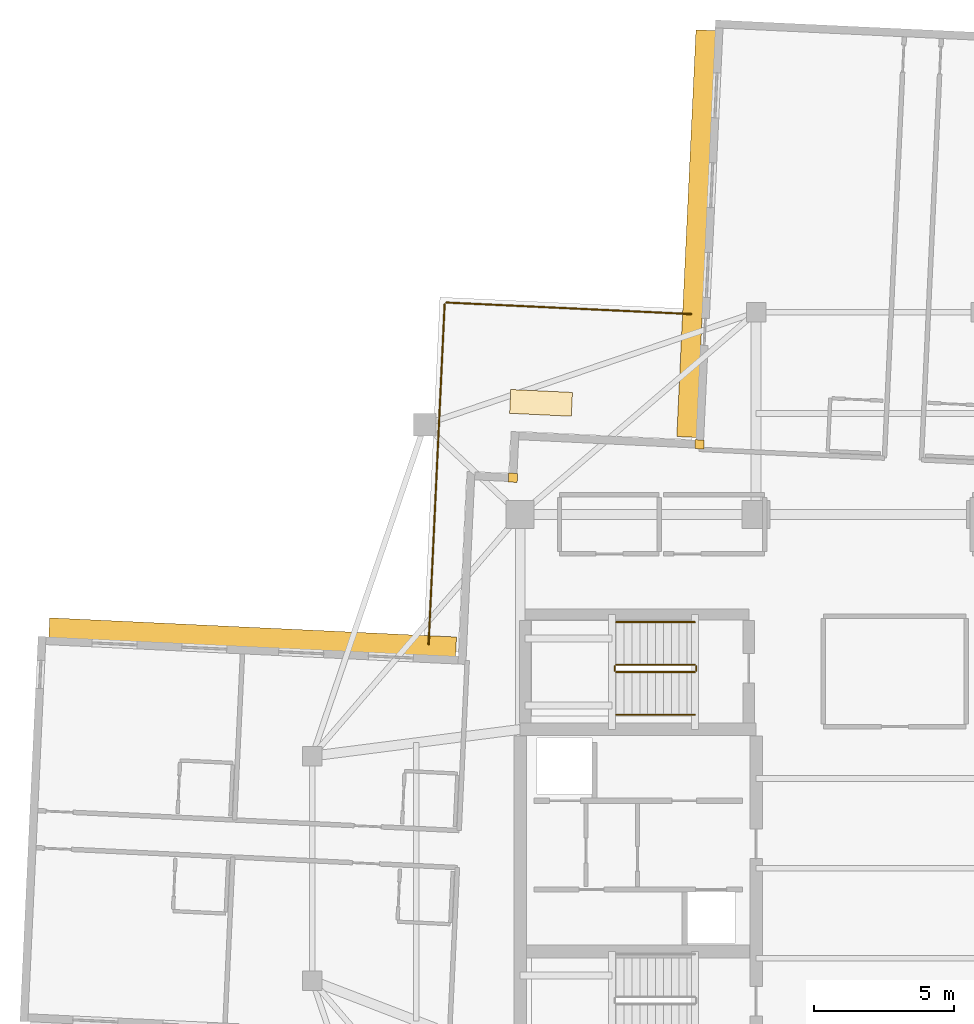
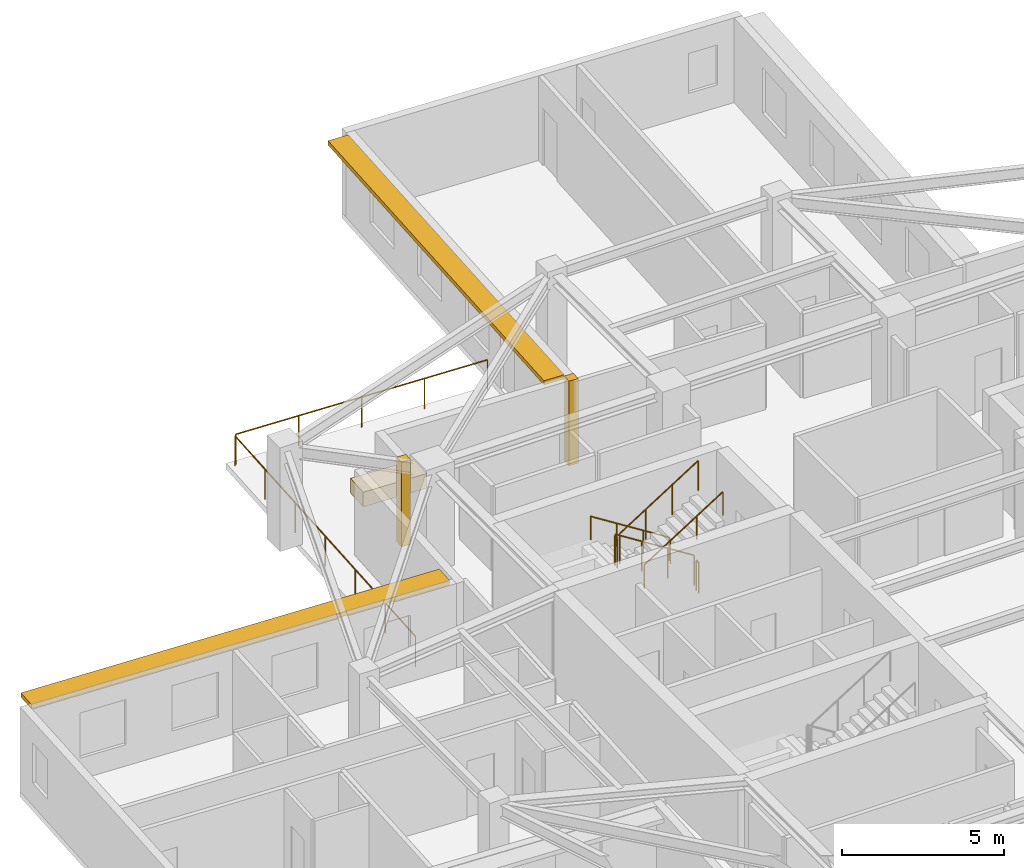
# One storey, part 11 of 12: 8 railings, 3 coverings, 2 shading devices.
"""IFC4 building model written with IfcOpenShell, lengths in metres."""

from ifc_helpers import new_model, si_unit, direction, frame, origin, origin_2d, place, context, subcontext, project, spatial, rectangle, circle, extrude, material, layer, layer_set, type_object, element, save


model = new_model("IFC4")

# Units and contexts
model_context = context("Model", 3, precision=1e-05, world=origin(), true_north=direction((0.0, 1.0)))
body_context = subcontext(model_context, "Body", "Model", "MODEL_VIEW")
ifc_project = project(units=[si_unit("LENGTHUNIT", "METRE"), si_unit("AREAUNIT", "SQUARE_METRE"), si_unit("VOLUMEUNIT", "CUBIC_METRE"), si_unit("PLANEANGLEUNIT", "RADIAN"), si_unit("MASSUNIT", "GRAM", prefix="KILO")], contexts=[model_context])

# Site, building, storey
site_placement = place(None, origin())
site = spatial("IfcSite", under=ifc_project, at=site_placement, CompositionType="ELEMENT")
building_placement = place(site_placement, origin())
building = spatial("IfcBuilding", under=site, at=building_placement, Name="Qingluan Cross Belvedere", CompositionType="ELEMENT")
storey_placement = place(building_placement, frame((0.0, 0.0, 253.800048828125)))
storey = spatial("IfcBuildingStorey", under=building, at=storey_placement, Name="L63", CompositionType="ELEMENT", Elevation=253.800048828125)

# Coverings
ifc_material_1 = material(Name="Precast concrete C45", Category="concrete")
ifc_layer_1 = layer(ifc_material_1, 0.1201171875, Name="ConcreteSpandrelCladding_120")
ifc_layer_set_1 = layer_set([ifc_layer_1], Name="Precast concrete C45")
covering_type_1 = type_object("IfcCoveringType", Name="ConcreteSpandrelCladding_120", PredefinedType="CLADDING", material=ifc_layer_set_1)
for number, where, z_axis, x_axis, name in (
    (1, (-12.65869140625, 13.911865234375, 0.0), (0.0, 0.0, 1.0), (0.998889874962, -0.04710645071, 0.0), "Corner closure L63-NW1"),
    (2, (-6.015380859375, 15.10009765625, 0.0), (0.0, 0.0, 1.0), (0.998889874962, -0.04710645071, 0.0), "Corner closure L63-NW2"),
):
    element("IfcCovering", number, at=place(storey_placement, frame(where, z_axis=z_axis, x_axis=x_axis)), inside=storey, type_object=covering_type_1, Name=name, PredefinedType="CLADDING", context=body_context, shape_type="SweptSolid", body=[
        extrude(rectangle(XDim=0.320068359375, YDim=0.320068359375, at=origin_2d()), origin(), (0.0, 0.0, 1.0), 3.179931640625),
    ])

# Shading devices
ifc_material_2 = material(Name="Precast concrete C45", Category="concrete")
ifc_layer_2 = layer(ifc_material_2, 0.139892578125, Name="ConcreteSunshadeBand_700")
ifc_layer_set_2 = layer_set([ifc_layer_2], Name="Precast concrete C45")
shading_device_type = type_object("IfcShadingDeviceType", Name="ConcreteSunshadeBand_700", PredefinedType="USERDEFINED", material=ifc_layer_set_2)
for number, where, z_axis, x_axis, name in (
    (3, (-6.132080078125, 22.60400390625, 3.0), (0.0, 0.0, 1.0), (-0.047108777928, -0.99888976521, 0.0), "Concrete SUNSHADE L63-NB"),
    (4, (-21.926513671875, 8.23193359375, 3.0), (0.0, 0.0, 1.0), (-0.998889750114, 0.047109098032, 0.0), "Concrete SUNSHADE L63-WA"),
):
    element("IfcShadingDevice", number, at=place(storey_placement, frame(where, z_axis=z_axis, x_axis=x_axis)), inside=storey, type_object=shading_device_type, Name=name, ObjectType="SUNSHADE", PredefinedType="USERDEFINED", context=body_context, shape_type="SweptSolid", body=[
        extrude(rectangle(XDim=14.5, YDim=0.699951171875, at=origin_2d()), origin(), (0.0, 0.0, 1.0), 0.159912109375),
    ])

# Railings
ifc_material_3 = material(Name="Brushed stainless steel tubular handrail", Category="steel")
railing_type_1 = type_object("IfcRailingType", Name="StairPitchHandrail_900", PredefinedType="HANDRAIL", material=ifc_material_3)
railing_1_placement = place(storey_placement, frame((-6.179931640625, 8.77001953125, 0.17724609375)))
element("IfcRailing", 5, at=railing_1_placement, inside=storey, type_object=railing_type_1, Name="L63 ST3 stair handrail 1", PredefinedType="HANDRAIL", context=body_context, shape_type="SweptSolid", body=[
    extrude(circle(Radius=0.02392578125, at=origin_2d()), frame((0.0, 0.0, 0.8759765625), z_axis=(-0.844908973607, 0.0, 0.534910110503), x_axis=(0.0, -1.0, 0.0)), (0.0, 0.0, 1.0), 3.31396484375),
    extrude(circle(Radius=0.02099609375, at=origin_2d()), origin(), (0.0, 0.0, 1.0), 0.851806640625),
    extrude(circle(Radius=0.02099609375, at=origin_2d()), frame((-0.933349609375, 0.0, 0.5908203125)), (0.0, 0.0, 1.0), 0.851806640625),
    extrude(circle(Radius=0.02099609375, at=origin_2d()), frame((-1.86669921875, 0.0, 1.181884765625)), (0.0, 0.0, 1.0), 0.851806640625),
    extrude(circle(Radius=0.02099609375, at=origin_2d()), frame((-2.800048828125, 0.0, 1.772705078125)), (0.0, 0.0, 1.0), 0.851806640625),
])
railing_2_placement = place(storey_placement, frame((-8.97998046875, 5.469970703125, 2.127197265625)))
element("IfcRailing", 6, at=railing_2_placement, inside=storey, type_object=railing_type_1, Name="L63 ST3 stair handrail 2", PredefinedType="HANDRAIL", context=body_context, shape_type="SweptSolid", body=[
    extrude(circle(Radius=0.02392578125, at=origin_2d()), frame((0.0, 0.0, 0.8759765625), z_axis=(0.844908973607, 0.0, 0.534910110503), x_axis=(0.0, 1.0, 0.0)), (0.0, 0.0, 1.0), 3.31396484375),
    extrude(circle(Radius=0.02099609375, at=origin_2d()), origin(), (0.0, 0.0, 1.0), 0.851806640625),
    extrude(circle(Radius=0.02099609375, at=origin_2d()), frame((0.933349609375, 0.0, 0.5908203125)), (0.0, 0.0, 1.0), 0.851806640625),
    extrude(circle(Radius=0.02099609375, at=origin_2d()), frame((1.86669921875, 0.0, 1.181884765625)), (0.0, 0.0, 1.0), 0.851806640625),
    extrude(circle(Radius=0.02099609375, at=origin_2d()), frame((2.800048828125, 0.0, 1.772705078125)), (0.0, 0.0, 1.0), 0.851806640625),
])
ifc_material_4 = material(Name="Painted steel stair well guard", Category="steel")
railing_type_2 = type_object("IfcRailingType", Name="StairWellGuard_1150", PredefinedType="BALUSTRADE", material=ifc_material_4)
railing_3_placement = place(storey_placement, frame((-6.179931640625, 7.25, 0.17724609375)))
element("IfcRailing", 7, at=railing_3_placement, inside=storey, type_object=railing_type_2, Name="L63 ST3 stair guard 1", PredefinedType="BALUSTRADE", context=body_context, shape_type="SweptSolid", body=[
    extrude(circle(Radius=0.02392578125, at=origin_2d()), frame((0.0, 0.0, 1.1259765625), z_axis=(-0.844908973607, 0.0, 0.534910110503), x_axis=(0.0, -1.0, 0.0)), (0.0, 0.0, 1.0), 3.31396484375),
    extrude(circle(Radius=0.02099609375, at=origin_2d()), origin(), (0.0, 0.0, 1.0), 1.101806640625),
    extrude(circle(Radius=0.02099609375, at=origin_2d()), frame((-0.933349609375, 0.0, 0.5908203125)), (0.0, 0.0, 1.0), 1.101806640625),
    extrude(circle(Radius=0.02099609375, at=origin_2d()), frame((-1.86669921875, 0.0, 1.181884765625)), (0.0, 0.0, 1.0), 1.101806640625),
    extrude(circle(Radius=0.02099609375, at=origin_2d()), frame((-2.800048828125, 0.0, 1.772705078125)), (0.0, 0.0, 1.0), 1.101806640625),
])
railing_4_placement = place(storey_placement, frame((-9.030029296875, 7.199951171875, 1.949951171875)))
element("IfcRailing", 8, at=railing_4_placement, inside=storey, type_object=railing_type_2, Name="L63 ST3 stair guard 2", PredefinedType="BALUSTRADE", context=body_context, shape_type="SweptSolid", body=[
    extrude(circle(Radius=0.02392578125, at=origin_2d()), frame((0.0, 0.0, 1.1259765625), z_axis=(0.0, -1.0, 0.0), x_axis=(1.0, 0.0, 0.0)), (0.0, 0.0, 1.0), 0.159912109375),
    extrude(circle(Radius=0.02099609375, at=origin_2d()), origin(), (0.0, 0.0, 1.0), 1.101806640625),
    extrude(circle(Radius=0.02099609375, at=origin_2d()), frame((0.0, -0.159912109375, 0.0)), (0.0, 0.0, 1.0), 1.101806640625),
])
railing_5_placement = place(storey_placement, frame((-8.97998046875, 6.989990234375, 2.127197265625)))
element("IfcRailing", 9, at=railing_5_placement, inside=storey, type_object=railing_type_2, Name="L63 ST3 stair guard 3", PredefinedType="BALUSTRADE", context=body_context, shape_type="SweptSolid", body=[
    extrude(circle(Radius=0.02392578125, at=origin_2d()), frame((0.0, 0.0, 1.1259765625), z_axis=(0.844908973607, 0.0, 0.534910110503), x_axis=(0.0, 1.0, 0.0)), (0.0, 0.0, 1.0), 3.31396484375),
    extrude(circle(Radius=0.02099609375, at=origin_2d()), origin(), (0.0, 0.0, 1.0), 1.101806640625),
    extrude(circle(Radius=0.02099609375, at=origin_2d()), frame((0.933349609375, 0.0, 0.5908203125)), (0.0, 0.0, 1.0), 1.101806640625),
    extrude(circle(Radius=0.02099609375, at=origin_2d()), frame((1.86669921875, 0.0, 1.181884765625)), (0.0, 0.0, 1.0), 1.101806640625),
    extrude(circle(Radius=0.02099609375, at=origin_2d()), frame((2.800048828125, 0.0, 1.772705078125)), (0.0, 0.0, 1.0), 1.101806640625),
])
railing_6_placement = place(storey_placement, frame((-6.1298828125, 7.199951171875, 0.0)))
element("IfcRailing", 10, at=railing_6_placement, inside=storey, type_object=railing_type_2, Name="L63 ST3 stair guard 4", PredefinedType="BALUSTRADE", context=body_context, shape_type="SweptSolid", body=[
    extrude(circle(Radius=0.02392578125, at=origin_2d()), frame((0.0, 0.0, 1.1259765625), z_axis=(0.0, -1.0, 0.0), x_axis=(1.0, 0.0, 0.0)), (0.0, 0.0, 1.0), 0.159912109375),
    extrude(circle(Radius=0.02099609375, at=origin_2d()), origin(), (0.0, 0.0, 1.0), 1.101806640625),
    extrude(circle(Radius=0.02099609375, at=origin_2d()), frame((0.0, -0.159912109375, 0.0)), (0.0, 0.0, 1.0), 1.101806640625),
])
ifc_material_5 = material(Name="Laminated glass and stainless steel balustrade", Category="steel")
railing_type_3 = type_object("IfcRailingType", Name="TerraceGuardBalustrade_1150", PredefinedType="BALUSTRADE", material=ifc_material_5)
railing_7_placement = place(storey_placement, frame((-15.6611328125, 7.98681640625, 0.0)))
element("IfcRailing", 11, at=railing_7_placement, inside=storey, type_object=railing_type_3, Name="Terrace guard L63-1", PredefinedType="BALUSTRADE", context=body_context, shape_type="SweptSolid", body=[
    extrude(circle(Radius=0.02392578125, at=origin_2d()), frame((0.0, 0.0, 1.1259765625), z_axis=(0.047116284841, 0.998889411148, 0.0), x_axis=(-0.998889411148, 0.047116284841, 0.0)), (0.0, 0.0, 1.0), 12.119873046875),
    extrude(circle(Radius=0.02099609375, at=origin_2d()), origin(), (0.0, 0.0, 1.0), 1.101806640625),
    extrude(circle(Radius=0.02099609375, at=origin_2d()), frame((0.09521484375, 2.017822265625, 0.0)), (0.0, 0.0, 1.0), 1.101806640625),
    extrude(circle(Radius=0.02099609375, at=origin_2d()), frame((0.1904296875, 4.035400390625, 0.0)), (0.0, 0.0, 1.0), 1.101806640625),
    extrude(circle(Radius=0.02099609375, at=origin_2d()), frame((0.28564453125, 6.05322265625, 0.0)), (0.0, 0.0, 1.0), 1.101806640625),
    extrude(circle(Radius=0.02099609375, at=origin_2d()), frame((0.380615234375, 8.071044921875, 0.0)), (0.0, 0.0, 1.0), 1.101806640625),
    extrude(circle(Radius=0.02099609375, at=origin_2d()), frame((0.475830078125, 10.088623046875, 0.0)), (0.0, 0.0, 1.0), 1.101806640625),
    extrude(circle(Radius=0.02099609375, at=origin_2d()), frame((0.571044921875, 12.1064453125, 0.0)), (0.0, 0.0, 1.0), 1.101806640625),
])
railing_8_placement = place(storey_placement, frame((-15.02734375, 20.150390625, 0.0)))
element("IfcRailing", 12, at=railing_8_placement, inside=storey, type_object=railing_type_3, Name="Terrace guard L63-2", PredefinedType="BALUSTRADE", context=body_context, shape_type="SweptSolid", body=[
    extrude(circle(Radius=0.02392578125, at=origin_2d()), frame((0.0, 0.0, 1.1259765625), z_axis=(0.998889195869, -0.047120848632, 0.0), x_axis=(0.047120848632, 0.998889195869, 0.0)), (0.0, 0.0, 1.0), 8.719970703125),
    extrude(circle(Radius=0.02099609375, at=origin_2d()), origin(), (0.0, 0.0, 1.0), 1.101806640625),
    extrude(circle(Radius=0.02099609375, at=origin_2d()), frame((2.177490234375, -0.102783203125, 0.0)), (0.0, 0.0, 1.0), 1.101806640625),
    extrude(circle(Radius=0.02099609375, at=origin_2d()), frame((4.35498046875, -0.20556640625, 0.0)), (0.0, 0.0, 1.0), 1.101806640625),
    extrude(circle(Radius=0.02099609375, at=origin_2d()), frame((6.53271484375, -0.30810546875, 0.0)), (0.0, 0.0, 1.0), 1.101806640625),
    extrude(circle(Radius=0.02099609375, at=origin_2d()), frame((8.710205078125, -0.410888671875, 0.0)), (0.0, 0.0, 1.0), 1.101806640625),
])

# Covering
ifc_material_6 = material(Name="Precast concrete C40", Category="concrete")
ifc_layer_3 = layer(ifc_material_6, 0.550048828125, Name="TerracePlanterBox")
ifc_layer_set_3 = layer_set([ifc_layer_3], Name="Precast concrete C40")
covering_type_2 = type_object("IfcCoveringType", Name="TerracePlanterBox", PredefinedType="USERDEFINED", material=ifc_layer_set_3)
covering_placement = place(storey_placement, frame((-11.656982421875, 16.576904296875, 0.0), z_axis=(0.0, 0.0, 1.0), x_axis=(0.998889874962, -0.04710645071, 0.0)))
element("IfcCovering", 13, at=covering_placement, inside=storey, type_object=covering_type_2, Name="Spiralling winter-garden planter L63", ObjectType="PLANTER", PredefinedType="USERDEFINED", context=body_context, shape_type="SweptSolid", body=[
    extrude(rectangle(XDim=2.199951171875, YDim=0.85009765625, at=origin_2d()), origin(), (0.0, 0.0, 1.0), 0.550048828125),
])

save(model, "model.ifc")
